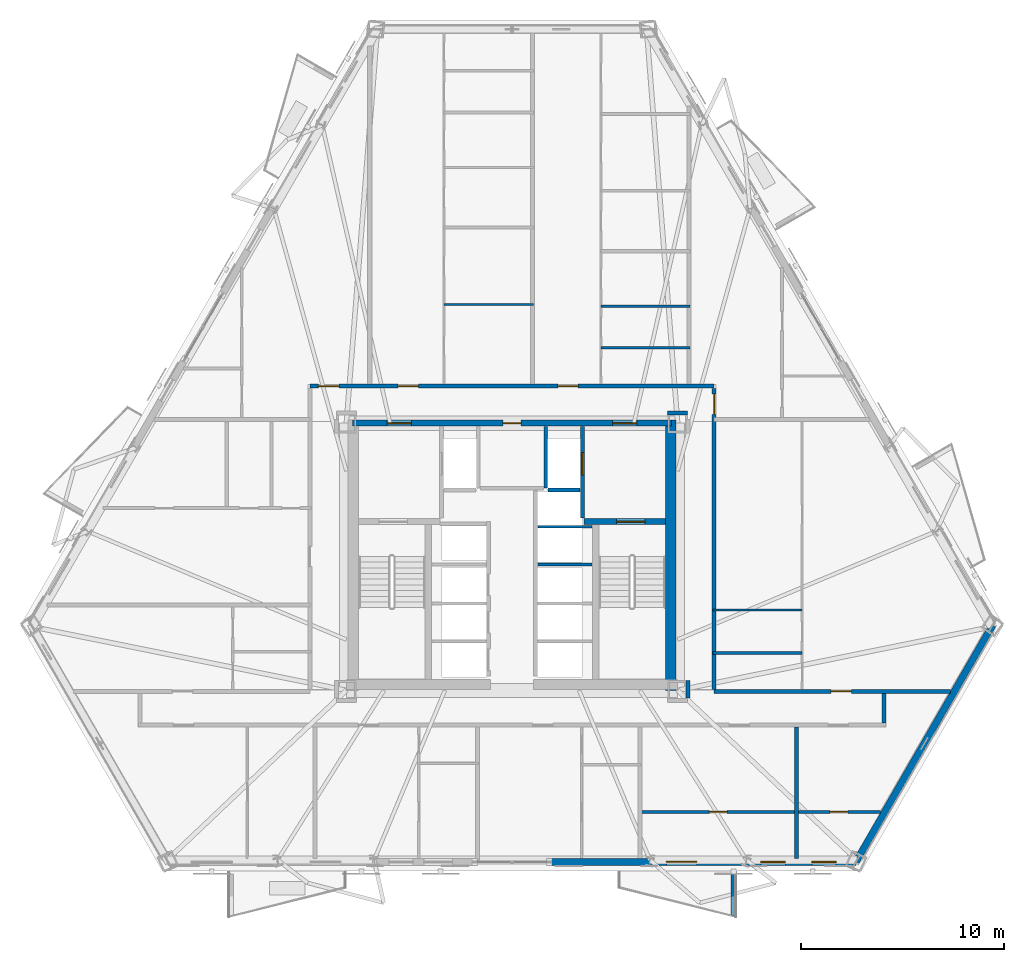
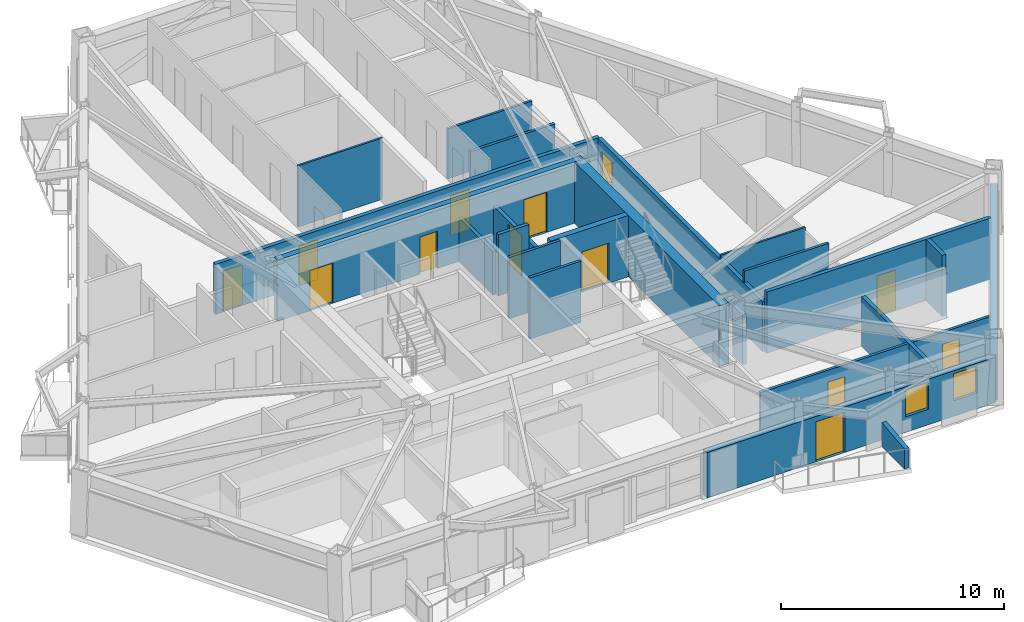
# One storey, part 11 of 17: 24 walls, 13 doors, 2 windows, 15 openings.
"""IFC4 building model written with IfcOpenShell, lengths in metres."""

from ifc_helpers import new_model, si_unit, direction, frame, frame_2d, origin, place, context, subcontext, project, spatial, polyline, rectangle, outline, extrude, material, layer, layer_set, type_object, element, fill, save


model = new_model("IFC4")

# Units and contexts
model_context = context("Model", 3, precision=1e-05, world=origin(), true_north=direction((0.0, 1.0)))
body_context = subcontext(model_context, "Body", "Model", "MODEL_VIEW")
ifc_project = project(units=[si_unit("LENGTHUNIT", "METRE"), si_unit("AREAUNIT", "SQUARE_METRE"), si_unit("VOLUMEUNIT", "CUBIC_METRE"), si_unit("PLANEANGLEUNIT", "RADIAN"), si_unit("MASSUNIT", "GRAM", prefix="KILO")], contexts=[model_context])

# Site, building, storey
site_placement = place(None, origin())
site = spatial("IfcSite", under=ifc_project, at=site_placement, CompositionType="ELEMENT")
building_placement = place(site_placement, origin())
building = spatial("IfcBuilding", under=site, at=building_placement, Name="Oramaril Tower", CompositionType="ELEMENT")
storey_placement = place(building_placement, frame((0.0, 0.0, 70.5)))
storey = spatial("IfcBuildingStorey", under=building, at=storey_placement, Name="L18", CompositionType="ELEMENT", Elevation=70.5)

# Wall, openings, door, windows
ifc_material_1 = material(Name="Warm Cream Limestone", Category="masonry")
ifc_layer_1 = layer(ifc_material_1, 0.340087890625)
ifc_layer_set_1 = layer_set([ifc_layer_1], Name="WT-EXT34")
wall_type_1 = type_object("IfcWallType", Name="WT-EXT34", PredefinedType="SOLIDWALL", material=ifc_layer_set_1)
wall_1_placement = place(storey_placement, frame((39.449951171875, 2.560546875, 0.0), z_axis=(0.0, 0.0, 1.0), x_axis=(1.0, 0.0, 0.0)))
wall_1 = element("IfcWall", 1, at=wall_1_placement, inside=storey, type_object=wall_type_1, Name="L18 Tower Limestone Facade Wall 2R", PredefinedType="SOLIDWALL", context=body_context, shape_type="SweptSolid", body=[
    extrude(rectangle(XDim=14.975830078125, YDim=0.340087890625, at=frame_2d((7.48779296875, 0.0))), origin(), (0.0, 0.0, 1.0), 2.493896484375),
])
opening_1_placement = place(wall_1_placement, frame((5.6513671875, 0.0, 0.0)))
opening_1 = element("IfcOpeningElement", 2, at=opening_1_placement, cuts=wall_1, Name="Opening D-L18-BAL-S2", PredefinedType="OPENING", context=body_context, shape_type="SweptSolid", body=[
    extrude(rectangle(XDim=1.5, YDim=2.199951171875, at=frame_2d((0.75, 1.10009765625))), frame((0.0, 0.169921875, 0.0), z_axis=(0.0, -1.0, 0.0), x_axis=(1.0, 0.0, 0.0)), (0.0, 0.0, 1.0), 0.340087890625),
])
opening_2_placement = place(wall_1_placement, frame((10.301025390625, 0.0, 0.85009765625)))
opening_2 = element("IfcOpeningElement", 3, at=opening_2_placement, cuts=wall_1, Name="Opening WN-09", PredefinedType="OPENING", context=body_context, shape_type="SweptSolid", body=[
    extrude(rectangle(XDim=1.199951171875, YDim=1.47998046875, at=frame_2d((0.60009765625, 0.739990234375))), frame((0.0, 0.169921875, 0.0), z_axis=(0.0, -1.0, 0.0), x_axis=(1.0, 0.0, 0.0)), (0.0, 0.0, 1.0), 0.340087890625),
])
opening_3_placement = place(wall_1_placement, frame((12.800048828125, 0.0, 0.85009765625)))
opening_3 = element("IfcOpeningElement", 4, at=opening_3_placement, cuts=wall_1, Name="Opening WN-09", PredefinedType="OPENING", context=body_context, shape_type="SweptSolid", body=[
    extrude(rectangle(XDim=1.199951171875, YDim=1.47998046875, at=frame_2d((0.60009765625, 0.739990234375))), frame((0.0, 0.169921875, 0.0), z_axis=(0.0, -1.0, 0.0), x_axis=(1.0, 0.0, 0.0)), (0.0, 0.0, 1.0), 0.340087890625),
])
ifc_material_2 = material(Name="Anodised Aluminium 6063-T6", Category="aluminium")
door_type_1 = type_object("IfcDoorType", Name="DT-BAL", OperationType="NOTDEFINED", PredefinedType="DOOR", material=ifc_material_2)
door_1_placement = place(opening_1_placement, origin())
door_1 = element("IfcDoor", 5, at=door_1_placement, inside=storey, type_object=door_type_1, Name="L18 Balcony Glazed Door L18-BAL-S2", OperationType="SINGLE_SWING_RIGHT", OverallHeight=2.199951171875, OverallWidth=1.5, PredefinedType="DOOR", context=body_context, shape_type="SweptSolid", body=[
    extrude(rectangle(XDim=1.5, YDim=2.199951171875, at=frame_2d((0.75, 1.10009765625))), frame((0.0, 0.02490234375, 0.0), z_axis=(0.0, -1.0, 0.0), x_axis=(1.0, 0.0, 0.0)), (0.0, 0.0, 1.0), 0.050048828125),
])
fill(opening_1, door_1)
ifc_material_3 = material(Name="Coastal Low-E Insulated Glass", Category="glass")
window_type = type_object("IfcWindowType", Name="WNT-09", PartitioningType="SINGLE_PANEL", PredefinedType="WINDOW", material=ifc_material_3)
window_1_placement = place(opening_2_placement, origin())
window_1 = element("IfcWindow", 6, at=window_1_placement, inside=storey, type_object=window_type, Name="L18 Chicago Bay Window WN-09", OverallHeight=1.47998046875, OverallWidth=1.199951171875, PartitioningType="SINGLE_PANEL", PredefinedType="WINDOW", context=body_context, shape_type="SweptSolid", body=[
    extrude(rectangle(XDim=1.199951171875, YDim=1.47998046875, at=frame_2d((0.60009765625, 0.739990234375))), frame((0.0, 0.030029296875, 0.0), z_axis=(0.0, -1.0, 0.0), x_axis=(1.0, 0.0, 0.0)), (0.0, 0.0, 1.0), 0.06005859375),
])
fill(opening_2, window_1)
window_2_placement = place(opening_3_placement, origin())
window_2 = element("IfcWindow", 7, at=window_2_placement, inside=storey, type_object=window_type, Name="L18 Chicago Bay Window WN-09", OverallHeight=1.47998046875, OverallWidth=1.199951171875, PartitioningType="SINGLE_PANEL", PredefinedType="WINDOW", context=body_context, shape_type="SweptSolid", body=[
    extrude(rectangle(XDim=1.199951171875, YDim=1.47998046875, at=frame_2d((0.60009765625, 0.739990234375))), frame((0.0, 0.030029296875, 0.0), z_axis=(0.0, -1.0, 0.0), x_axis=(1.0, 0.0, 0.0)), (0.0, 0.0, 1.0), 0.06005859375),
])
fill(opening_3, window_2)

# Walls
wall_2_placement = place(storey_placement, frame((54.42578125, 2.560546875, 0.0), z_axis=(0.0, 0.0, 1.0), x_axis=(0.499987929025, 0.866032372853, 0.0)))
element("IfcWall", 8, at=wall_2_placement, inside=storey, type_object=wall_type_1, Name="L18 Tower Limestone Facade Wall 3M", PredefinedType="SOLIDWALL", context=body_context, shape_type="SweptSolid", body=[
    extrude(rectangle(XDim=13.453369140625, YDim=0.340087890625, at=frame_2d((6.7265625, 0.0))), origin(), (0.0, 0.0, 1.0), 2.493896484375),
])
ifc_material_4 = material(Name="Concrete C40/50", Category="concrete")
ifc_layer_2 = layer(ifc_material_4, 0.22998046875)
ifc_layer_set_2 = layer_set([ifc_layer_2], Name="WT-PRP23")
wall_type_2 = type_object("IfcWallType", Name="WT-PRP23", PredefinedType="PARAPET", material=ifc_layer_set_2)
wall_3_placement = place(storey_placement, frame((48.38623046875, 1.962646484375, 0.0), z_axis=(0.0, 0.0, 1.0), x_axis=(0.0, -1.0, 0.0)))
element("IfcWall", 9, at=wall_3_placement, inside=storey, type_object=wall_type_2, Name="L18 Trapezoidal Balcony Frame Cheek L18-BAL-S2-R", PredefinedType="PARAPET", context=body_context, shape_type="SweptSolid", body=[
    extrude(outline(polyline([(0.0, 0.0), (2.0419921875, 0.0), (2.0419921875, 1.10009765625), (0.0, 1.320068359375), (0.0, 0.0)])), frame((0.0, 0.114990234375, 0.0), z_axis=(0.0, -1.0, 0.0), x_axis=(1.0, 0.0, 0.0)), (0.0, 0.0, 1.0), 0.22998046875),
])
ifc_material_5 = material(Name="Acoustic Gypsum Board Partition")
ifc_layer_3 = layer(ifc_material_5, 0.10009765625)
ifc_layer_set_3 = layer_set([ifc_layer_3], Name="WT-PT10")
wall_type_3 = type_object("IfcWallType", Name="WT-PT10", PredefinedType="PARTITIONING", material=ifc_layer_set_3)
wall_4_placement = place(storey_placement, frame((47.39990234375, 14.949951171875, 0.0), z_axis=(0.0, 0.0, 1.0), x_axis=(1.0, 0.0, 0.0)))
element("IfcWall", 10, at=wall_4_placement, inside=storey, type_object=wall_type_3, Name="L18 Interior Partition PT-10", PredefinedType="PARTITIONING", context=body_context, shape_type="SweptSolid", body=[
    extrude(rectangle(XDim=4.380126953125, YDim=0.10009765625, at=frame_2d((2.18994140625, 0.0))), origin(), (0.0, 0.0, 1.0), 2.946044921875),
])
wall_5_placement = place(storey_placement, frame((34.14990234375, 29.989990234375, 0.0), z_axis=(0.0, 0.0, 1.0), x_axis=(1.0, 0.0, 0.0)))
element("IfcWall", 11, at=wall_5_placement, inside=storey, type_object=wall_type_3, Name="L18 Interior Partition PT-10", PredefinedType="PARTITIONING", context=body_context, shape_type="SweptSolid", body=[
    extrude(rectangle(XDim=4.400146484375, YDim=0.10009765625, at=frame_2d((2.2001953125, 0.0))), origin(), (0.0, 0.0, 1.0), 3.360107421875),
])
ifc_material_6 = material(Name="Acoustic Gypsum Board Partition")
ifc_layer_4 = layer(ifc_material_6, 0.1201171875)
ifc_layer_set_4 = layer_set([ifc_layer_4], Name="WT-PT12")
wall_type_4 = type_object("IfcWallType", Name="WT-PT12", PredefinedType="PARTITIONING", material=ifc_layer_set_4)
wall_6_placement = place(storey_placement, frame((41.8701171875, 29.909912109375, 0.0), z_axis=(0.0, 0.0, 1.0), x_axis=(1.0, 0.0, 0.0)))
element("IfcWall", 12, at=wall_6_placement, inside=storey, type_object=wall_type_4, Name="L18 Interior Partition PT-12", PredefinedType="PARTITIONING", context=body_context, shape_type="SweptSolid", body=[
    extrude(rectangle(XDim=4.3798828125, YDim=0.1201171875, at=frame_2d((2.18994140625, 0.0))), origin(), (0.0, 0.0, 1.0), 2.738037109375),
])
ifc_material_7 = material(Name="Acoustic Gypsum Board Partition")
ifc_layer_5 = layer(ifc_material_7, 0.139892578125)
ifc_layer_set_5 = layer_set([ifc_layer_5], Name="WT-PT14")
wall_type_5 = type_object("IfcWallType", Name="WT-PT14", PredefinedType="PARTITIONING", material=ifc_layer_set_5)
for number, where, z_axis, x_axis, name in (
    (13, (38.780029296875, 17.199951171875, 0.0), (0.0, 0.0, 1.0), (1.0, 0.0, 0.0), "L18 East Lift Divider"),
    (14, (38.780029296875, 19.050048828125, 0.0), (0.0, 0.0, 1.0), (1.0, 0.0, 0.0), "L18 East Lift Divider"),
):
    element("IfcWall", number, at=place(storey_placement, frame(where, z_axis=z_axis, x_axis=x_axis)), inside=storey, type_object=wall_type_5, Name=name, PredefinedType="PARTITIONING", context=body_context, shape_type="SweptSolid", body=[
        extrude(rectangle(XDim=2.659912109375, YDim=0.139892578125, at=frame_2d((1.330078125, 0.0))), origin(), (0.0, 0.0, 1.0), 3.360107421875),
    ])

# Wall, openings, doors
wall_7_placement = place(storey_placement, frame((43.718017578125, 5.02001953125, 0.0), z_axis=(0.0, 0.0, 1.0), x_axis=(1.0, 0.0, 0.0)))
wall_7 = element("IfcWall", 15, at=wall_7_placement, inside=storey, type_object=wall_type_5, Name="L18 Interior Partition PT-14", PredefinedType="PARTITIONING", context=body_context, shape_type="SweptSolid", body=[
    extrude(rectangle(XDim=11.9267578125, YDim=0.139892578125, at=frame_2d((5.96337890625, 0.0))), origin(), (0.0, 0.0, 1.0), 2.738037109375),
])
opening_4_placement = place(wall_7_placement, frame((3.491943359375, 0.0, 0.0)))
opening_4 = element("IfcOpeningElement", 16, at=opening_4_placement, cuts=wall_7, Name="Opening D-L18-01", PredefinedType="OPENING", context=body_context, shape_type="SweptSolid", body=[
    extrude(rectangle(XDim=0.8798828125, YDim=2.080078125, at=frame_2d((0.43994140625, 1.0400390625))), frame((0.0, 0.06982421875, 0.0), z_axis=(0.0, -1.0, 0.0), x_axis=(1.0, 0.0, 0.0)), (0.0, 0.0, 1.0), 0.139892578125),
])
opening_5_placement = place(wall_7_placement, frame((9.42822265625, 0.0, 0.0)))
opening_5 = element("IfcOpeningElement", 17, at=opening_5_placement, cuts=wall_7, Name="Opening D-L18-02", PredefinedType="OPENING", context=body_context, shape_type="SweptSolid", body=[
    extrude(rectangle(XDim=0.8798828125, YDim=2.080078125, at=frame_2d((0.43994140625, 1.0400390625))), frame((0.0, 0.06982421875, 0.0), z_axis=(0.0, -1.0, 0.0), x_axis=(1.0, 0.0, 0.0)), (0.0, 0.0, 1.0), 0.139892578125),
])
ifc_material_8 = material(Name="FSC Brazilian Freijo Hardwood", Category="wood")
door_type_2 = type_object("IfcDoorType", Name="DT-BATH", OperationType="NOTDEFINED", PredefinedType="DOOR", material=ifc_material_8)
door_2_placement = place(opening_4_placement, origin())
door_2 = element("IfcDoor", 18, at=door_2_placement, inside=storey, type_object=door_type_2, Name="L18 Flat L18-U4 Bathroom Door D-L18-01", OperationType="SINGLE_SWING_RIGHT", OverallHeight=2.080078125, OverallWidth=0.8798828125, PredefinedType="DOOR", context=body_context, shape_type="SweptSolid", body=[
    extrude(rectangle(XDim=0.8798828125, YDim=2.080078125, at=frame_2d((0.43994140625, 1.0400390625))), frame((0.0, 0.02490234375, 0.0), z_axis=(0.0, -1.0, 0.0), x_axis=(1.0, 0.0, 0.0)), (0.0, 0.0, 1.0), 0.050048828125),
])
fill(opening_4, door_2)
door_3_placement = place(opening_5_placement, origin())
door_3 = element("IfcDoor", 19, at=door_3_placement, inside=storey, type_object=door_type_2, Name="L18 Flat L18-U5 Bathroom Door D-L18-02", OperationType="SINGLE_SWING_LEFT", OverallHeight=2.080078125, OverallWidth=0.8798828125, PredefinedType="DOOR", context=body_context, shape_type="SweptSolid", body=[
    extrude(rectangle(XDim=0.8798828125, YDim=2.080078125, at=frame_2d((0.43994140625, 1.0400390625))), frame((0.0, 0.02490234375, 0.0), z_axis=(0.0, -1.0, 0.0), x_axis=(1.0, 0.0, 0.0)), (0.0, 0.0, 1.0), 0.050048828125),
])
fill(opening_5, door_3)

# Walls
wall_8_placement = place(storey_placement, frame((47.39990234375, 12.840087890625, 0.0), z_axis=(0.0, 0.0, 1.0), x_axis=(1.0, 0.0, 0.0)))
element("IfcWall", 20, at=wall_8_placement, inside=storey, type_object=wall_type_5, Name="L18 Interior Partition PT-14", PredefinedType="PARTITIONING", context=body_context, shape_type="SweptSolid", body=[
    extrude(rectangle(XDim=4.380126953125, YDim=0.139892578125, at=frame_2d((2.18994140625, 0.0))), origin(), (0.0, 0.0, 1.0), 3.360107421875),
])
wall_9_placement = place(storey_placement, frame((41.8701171875, 27.860107421875, 0.0), z_axis=(0.0, 0.0, 1.0), x_axis=(1.0, 0.0, 0.0)))
element("IfcWall", 21, at=wall_9_placement, inside=storey, type_object=wall_type_5, Name="L18 Interior Partition PT-14", PredefinedType="PARTITIONING", context=body_context, shape_type="SweptSolid", body=[
    extrude(rectangle(XDim=4.3798828125, YDim=0.139892578125, at=frame_2d((2.18994140625, 0.0))), origin(), (0.0, 0.0, 1.0), 2.738037109375),
])
ifc_material_9 = material(Name="Autoclaved Cellular Concrete Block", Category="concrete")
ifc_layer_6 = layer(ifc_material_9, 0.179931640625)
ifc_layer_set_6 = layer_set([ifc_layer_6], Name="WT-PT18")
wall_type_6 = type_object("IfcWallType", Name="WT-PT18", PredefinedType="PARTITIONING", material=ifc_layer_set_6)
wall_10_placement = place(storey_placement, frame((39.159912109375, 20.9599609375, 0.0), z_axis=(0.0, 0.0, 1.0), x_axis=(0.0, 1.0, 0.0)))
element("IfcWall", 22, at=wall_10_placement, inside=storey, type_object=wall_type_6, Name="L18 FL-2 West Shaft Wall", PredefinedType="PARTITIONING", context=body_context, shape_type="SweptSolid", body=[
    extrude(rectangle(XDim=3.02001953125, YDim=0.179931640625, at=frame_2d((1.510009765625, 0.0))), origin(), (0.0, 0.0, 1.0), 2.39990234375),
])
wall_11_placement = place(storey_placement, frame((39.260009765625, 20.860107421875, 0.0), z_axis=(0.0, 0.0, 1.0), x_axis=(1.0, 0.0, 0.0)))
element("IfcWall", 23, at=wall_11_placement, inside=storey, type_object=wall_type_6, Name="L18 FL-2 South Shaft Wall", PredefinedType="PARTITIONING", context=body_context, shape_type="SweptSolid", body=[
    extrude(rectangle(XDim=1.580078125, YDim=0.179931640625, at=frame_2d((0.7900390625, 0.0))), origin(), (0.0, 0.0, 1.0), 3.360107421875),
])

# Wall, opening, door
ifc_material_10 = material(Name="Autoclaved Cellular Concrete Block", Category="concrete")
ifc_layer_7 = layer(ifc_material_10, 0.199951171875)
ifc_layer_set_7 = layer_set([ifc_layer_7], Name="WT-PT20")
wall_type_7 = type_object("IfcWallType", Name="WT-PT20", PredefinedType="PARTITIONING", material=ifc_layer_set_7)
wall_12_placement = place(storey_placement, frame((47.449951171875, 10.949951171875, 0.0), z_axis=(0.0, 0.0, 1.0), x_axis=(1.0, 0.0, 0.0)))
wall_12 = element("IfcWall", 24, at=wall_12_placement, inside=storey, type_object=wall_type_7, Name="L18 Interior Partition PT-20", PredefinedType="PARTITIONING", context=body_context, shape_type="SweptSolid", body=[
    extrude(rectangle(XDim=11.618408203125, YDim=0.199951171875, at=frame_2d((5.80908203125, 0.0))), origin(), (0.0, 0.0, 1.0), 3.360107421875),
])
opening_6_placement = place(wall_12_placement, frame((5.745849609375, 0.0, 0.0)))
opening_6 = element("IfcOpeningElement", 25, at=opening_6_placement, cuts=wall_12, Name="Opening D-L18-09", PredefinedType="OPENING", context=body_context, shape_type="SweptSolid", body=[
    extrude(rectangle(XDim=1.0, YDim=2.179931640625, at=frame_2d((0.5, 1.08984375))), frame((0.0, 0.10009765625, 0.0), z_axis=(0.0, -1.0, 0.0), x_axis=(1.0, 0.0, 0.0)), (0.0, 0.0, 1.0), 0.199951171875),
])
ifc_material_11 = material(Name="FSC Brazilian Freijo Hardwood", Category="wood")
door_type_3 = type_object("IfcDoorType", Name="DT-APT", OperationType="NOTDEFINED", PredefinedType="DOOR", material=ifc_material_11)
door_4_placement = place(opening_6_placement, origin())
door_4 = element("IfcDoor", 26, at=door_4_placement, inside=storey, type_object=door_type_3, Name="L18 Flat L18-U8 Penthouse Living and Dining Room Door D-L18-09", OperationType="SINGLE_SWING_RIGHT", OverallHeight=2.179931640625, OverallWidth=1.0, PredefinedType="DOOR", context=body_context, shape_type="SweptSolid", body=[
    extrude(rectangle(XDim=1.0, YDim=2.179931640625, at=frame_2d((0.5, 1.08984375))), frame((0.0, 0.02490234375, 0.0), z_axis=(0.0, -1.0, 0.0), x_axis=(1.0, 0.0, 0.0)), (0.0, 0.0, 1.0), 0.050048828125),
])
fill(opening_6, door_4)

# Wall
wall_13_placement = place(storey_placement, frame((45.155029296875, 24.639892578125, 0.0), z_axis=(0.0, 0.0, 1.0), x_axis=(1.0, 0.0, 0.0)))
element("IfcWall", 27, at=wall_13_placement, inside=storey, type_object=wall_type_7, Name="L18 Interior Partition PT-20", PredefinedType="PARTITIONING", context=body_context, shape_type="SweptSolid", body=[
    extrude(rectangle(XDim=0.989990234375, YDim=0.199951171875, at=frame_2d((0.4951171875, 0.0))), origin(), (0.0, 0.0, 1.0), 2.738037109375),
])

# Wall, openings, doors
wall_14_placement = place(storey_placement, frame((27.550048828125, 25.969970703125, 0.0), z_axis=(0.0, 0.0, 1.0), x_axis=(1.0, 0.0, 0.0)))
wall_14 = element("IfcWall", 28, at=wall_14_placement, inside=storey, type_object=wall_type_7, Name="L18 Interior Partition PT-20", PredefinedType="PARTITIONING", context=body_context, shape_type="SweptSolid", body=[
    extrude(rectangle(XDim=19.89990234375, YDim=0.199951171875, at=frame_2d((9.949951171875, 0.0))), origin(), (0.0, 0.0, 1.0), 2.738037109375),
])
opening_7_placement = place(wall_14_placement, frame((0.42529296875, 0.0, 0.0)))
opening_7 = element("IfcOpeningElement", 29, at=opening_7_placement, cuts=wall_14, Name="Opening D-L18-13", PredefinedType="OPENING", context=body_context, shape_type="SweptSolid", body=[
    extrude(rectangle(XDim=1.0, YDim=2.179931640625, at=frame_2d((0.5, 1.08984375))), frame((0.0, 0.10009765625, 0.0), z_axis=(0.0, -1.0, 0.0), x_axis=(1.0, 0.0, 0.0)), (0.0, 0.0, 1.0), 0.199951171875),
])
opening_8_placement = place(wall_14_placement, frame((4.34716796875, 0.0, 0.0)))
opening_8 = element("IfcOpeningElement", 30, at=opening_8_placement, cuts=wall_14, Name="Opening D-L18-14", PredefinedType="OPENING", context=body_context, shape_type="SweptSolid", body=[
    extrude(rectangle(XDim=1.0, YDim=2.179931640625, at=frame_2d((0.5, 1.08984375))), frame((0.0, 0.10009765625, 0.0), z_axis=(0.0, -1.0, 0.0), x_axis=(1.0, 0.0, 0.0)), (0.0, 0.0, 1.0), 0.199951171875),
])
opening_9_placement = place(wall_14_placement, frame((12.20751953125, 0.0, 0.0)))
opening_9 = element("IfcOpeningElement", 31, at=opening_9_placement, cuts=wall_14, Name="Opening D-L18-15", PredefinedType="OPENING", context=body_context, shape_type="SweptSolid", body=[
    extrude(rectangle(XDim=1.0, YDim=2.179931640625, at=frame_2d((0.5, 1.08984375))), frame((0.0, 0.10009765625, 0.0), z_axis=(0.0, -1.0, 0.0), x_axis=(1.0, 0.0, 0.0)), (0.0, 0.0, 1.0), 0.199951171875),
])
door_5_placement = place(opening_7_placement, origin())
door_5 = element("IfcDoor", 32, at=door_5_placement, inside=storey, type_object=door_type_3, Name="L18 Flat L18-U9 Studio Apartment Door D-L18-13", OperationType="SINGLE_SWING_RIGHT", OverallHeight=2.179931640625, OverallWidth=1.0, PredefinedType="DOOR", context=body_context, shape_type="SweptSolid", body=[
    extrude(rectangle(XDim=1.0, YDim=2.179931640625, at=frame_2d((0.5, 1.08984375))), frame((0.0, 0.02490234375, 0.0), z_axis=(0.0, -1.0, 0.0), x_axis=(1.0, 0.0, 0.0)), (0.0, 0.0, 1.0), 0.050048828125),
])
fill(opening_7, door_5)
door_6_placement = place(opening_8_placement, origin())
door_6 = element("IfcDoor", 33, at=door_6_placement, inside=storey, type_object=door_type_3, Name="L18 Flat L18-U10 Penthouse 2-Bedroom Living and Dining Room Door D-L18-14", OperationType="SINGLE_SWING_LEFT", OverallHeight=2.179931640625, OverallWidth=1.0, PredefinedType="DOOR", context=body_context, shape_type="SweptSolid", body=[
    extrude(rectangle(XDim=1.0, YDim=2.179931640625, at=frame_2d((0.5, 1.08984375))), frame((0.0, 0.02490234375, 0.0), z_axis=(0.0, -1.0, 0.0), x_axis=(1.0, 0.0, 0.0)), (0.0, 0.0, 1.0), 0.050048828125),
])
fill(opening_8, door_6)
door_7_placement = place(opening_9_placement, origin())
door_7 = element("IfcDoor", 34, at=door_7_placement, inside=storey, type_object=door_type_3, Name="L18 Flat L18-U11 2-Bedroom Living and Dining Room Door D-L18-15", OperationType="SINGLE_SWING_RIGHT", OverallHeight=2.179931640625, OverallWidth=1.0, PredefinedType="DOOR", context=body_context, shape_type="SweptSolid", body=[
    extrude(rectangle(XDim=1.0, YDim=2.179931640625, at=frame_2d((0.5, 1.08984375))), frame((0.0, 0.02490234375, 0.0), z_axis=(0.0, -1.0, 0.0), x_axis=(1.0, 0.0, 0.0)), (0.0, 0.0, 1.0), 0.050048828125),
])
fill(opening_9, door_7)

# Wall
wall_15_placement = place(storey_placement, frame((46.14990234375, 10.614013671875, 0.0), z_axis=(0.0, 0.0, 1.0), x_axis=(0.0, 1.0, 0.0)))
element("IfcWall", 35, at=wall_15_placement, inside=storey, type_object=wall_type_7, Name="L18 Interior Partition PT-20", PredefinedType="PARTITIONING", context=body_context, shape_type="SweptSolid", body=[
    extrude(rectangle(XDim=0.881103515625, YDim=0.199951171875, at=frame_2d((0.4404296875, 0.0))), origin(), (0.0, 0.0, 1.0), 2.738037109375),
])

# Wall, opening, door
wall_16_placement = place(storey_placement, frame((47.449951171875, 11.053955078125, 0.0), z_axis=(0.0, 0.0, 1.0), x_axis=(0.0, 1.0, 0.0)))
wall_16 = element("IfcWall", 36, at=wall_16_placement, inside=storey, type_object=wall_type_7, Name="L18 Interior Partition PT-20", PredefinedType="PARTITIONING", context=body_context, shape_type="SweptSolid", body=[
    extrude(rectangle(XDim=14.81201171875, YDim=0.199951171875, at=frame_2d((7.406005859375, 0.0))), origin(), (0.0, 0.0, 1.0), 2.738037109375),
])
opening_10_placement = place(wall_16_placement, frame((13.529296875, 0.0, 0.0)))
opening_10 = element("IfcOpeningElement", 37, at=opening_10_placement, cuts=wall_16, Name="Opening D-L18-38", PredefinedType="OPENING", context=body_context, shape_type="SweptSolid", body=[
    extrude(rectangle(XDim=1.0, YDim=2.179931640625, at=frame_2d((0.5, 1.08984375))), frame((0.0, 0.10009765625, 0.0), z_axis=(0.0, -1.0, 0.0), x_axis=(1.0, 0.0, 0.0)), (0.0, 0.0, 1.0), 0.199951171875),
])
door_8_placement = place(opening_10_placement, origin())
door_8 = element("IfcDoor", 38, at=door_8_placement, inside=storey, type_object=door_type_3, Name="L18 Flat L18-U12 Studio Apartment Door D-L18-38", OperationType="SINGLE_SWING_LEFT", OverallHeight=2.179931640625, OverallWidth=1.0, PredefinedType="DOOR", context=body_context, shape_type="SweptSolid", body=[
    extrude(rectangle(XDim=1.0, YDim=2.179931640625, at=frame_2d((0.5, 1.08984375))), frame((0.0, 0.02490234375, 0.0), z_axis=(0.0, -1.0, 0.0), x_axis=(1.0, 0.0, 0.0)), (0.0, 0.0, 1.0), 0.050048828125),
])
fill(opening_10, door_8)

# Walls
wall_17_placement = place(storey_placement, frame((51.5, 2.734619140625, 0.0), z_axis=(0.0, 0.0, 1.0), x_axis=(0.0, 1.0, 0.0)))
element("IfcWall", 39, at=wall_17_placement, inside=storey, type_object=wall_type_7, Name="L18 Interior Partition PT-20", PredefinedType="PARTITIONING", context=body_context, shape_type="SweptSolid", body=[
    extrude(rectangle(XDim=6.46142578125, YDim=0.199951171875, at=frame_2d((3.230712890625, 0.0))), origin(), (0.0, 0.0, 1.0), 2.738037109375),
])
wall_18_placement = place(storey_placement, frame((55.800048828125, 9.404052734375, 0.0), z_axis=(0.0, 0.0, 1.0), x_axis=(0.0, 1.0, 0.0)))
element("IfcWall", 40, at=wall_18_placement, inside=storey, type_object=wall_type_7, Name="L18 Interior Partition PT-20", PredefinedType="PARTITIONING", context=body_context, shape_type="SweptSolid", body=[
    extrude(rectangle(XDim=1.44189453125, YDim=0.199951171875, at=frame_2d((0.720947265625, 0.0))), origin(), (0.0, 0.0, 1.0), 3.360107421875),
])

# Wall, openings, doors
ifc_material_12 = material(Name="Concrete C50/60", Category="concrete")
ifc_layer_8 = layer(ifc_material_12, 0.300048828125)
ifc_layer_set_8 = layer_set([ifc_layer_8], Name="WT-SH30")
wall_type_8 = type_object("IfcWallType", Name="WT-SH30", PredefinedType="SHEAR", material=ifc_layer_set_8)
wall_19_placement = place(storey_placement, frame((29.64990234375, 24.14990234375, 0.0), z_axis=(0.0, 0.0, 1.0), x_axis=(1.0, 0.0, 0.0)))
wall_19 = element("IfcWall", 41, at=wall_19_placement, inside=storey, type_object=wall_type_8, Name="L18 Core Shear Wall CW-N", PredefinedType="SHEAR", context=body_context, shape_type="SweptSolid", body=[
    extrude(rectangle(XDim=15.7001953125, YDim=0.300048828125, at=frame_2d((7.85009765625, 0.0))), origin(), (0.0, 0.0, 1.0), 3.360107421875),
])
opening_11_placement = place(wall_19_placement, frame((1.699951171875, 0.0, 0.0)))
opening_11 = element("IfcOpeningElement", 42, at=opening_11_placement, cuts=wall_19, Name="Opening D-L18-FFL1", PredefinedType="OPENING", context=body_context, shape_type="SweptSolid", body=[
    extrude(rectangle(XDim=1.199951171875, YDim=2.199951171875, at=frame_2d((0.60009765625, 1.10009765625))), frame((0.0, 0.14990234375, 0.0), z_axis=(0.0, -1.0, 0.0), x_axis=(1.0, 0.0, 0.0)), (0.0, 0.0, 1.0), 0.300048828125),
])
opening_12_placement = place(wall_19_placement, frame((12.800048828125, 0.0, 0.0)))
opening_12 = element("IfcOpeningElement", 43, at=opening_12_placement, cuts=wall_19, Name="Opening D-L18-FFL2", PredefinedType="OPENING", context=body_context, shape_type="SweptSolid", body=[
    extrude(rectangle(XDim=1.199951171875, YDim=2.199951171875, at=frame_2d((0.60009765625, 1.10009765625))), frame((0.0, 0.14990234375, 0.0), z_axis=(0.0, -1.0, 0.0), x_axis=(1.0, 0.0, 0.0)), (0.0, 0.0, 1.0), 0.300048828125),
])
opening_13_placement = place(wall_19_placement, frame((7.39990234375, 0.0, 0.0)))
opening_13 = element("IfcOpeningElement", 44, at=opening_13_placement, cuts=wall_19, Name="Opening D-L18-SV1", PredefinedType="OPENING", context=body_context, shape_type="SweptSolid", body=[
    extrude(rectangle(XDim=0.89990234375, YDim=2.050048828125, at=frame_2d((0.449951171875, 1.02490234375))), frame((0.0, 0.14990234375, 0.0), z_axis=(0.0, -1.0, 0.0), x_axis=(1.0, 0.0, 0.0)), (0.0, 0.0, 1.0), 0.300048828125),
])
ifc_material_13 = material(Name="Painted Galvanised Steel", Category="steel")
door_type_4 = type_object("IfcDoorType", Name="DT-FFL", OperationType="NOTDEFINED", PredefinedType="DOOR", material=ifc_material_13)
door_9_placement = place(opening_11_placement, origin())
door_9 = element("IfcDoor", 45, at=door_9_placement, inside=storey, type_object=door_type_4, Name="L18 Firefighting Lobby 1 Fire Door", OperationType="SINGLE_SWING_LEFT", OverallHeight=2.199951171875, OverallWidth=1.199951171875, PredefinedType="DOOR", context=body_context, shape_type="SweptSolid", body=[
    extrude(rectangle(XDim=1.199951171875, YDim=2.199951171875, at=frame_2d((0.60009765625, 1.10009765625))), frame((0.0, 0.02490234375, 0.0), z_axis=(0.0, -1.0, 0.0), x_axis=(1.0, 0.0, 0.0)), (0.0, 0.0, 1.0), 0.050048828125),
])
fill(opening_11, door_9)
door_10_placement = place(opening_12_placement, origin())
door_10 = element("IfcDoor", 46, at=door_10_placement, inside=storey, type_object=door_type_4, Name="L18 Firefighting Lobby 2 Fire Door", OperationType="SINGLE_SWING_RIGHT", OverallHeight=2.199951171875, OverallWidth=1.199951171875, PredefinedType="DOOR", context=body_context, shape_type="SweptSolid", body=[
    extrude(rectangle(XDim=1.199951171875, YDim=2.199951171875, at=frame_2d((0.60009765625, 1.10009765625))), frame((0.0, 0.02490234375, 0.0), z_axis=(0.0, -1.0, 0.0), x_axis=(1.0, 0.0, 0.0)), (0.0, 0.0, 1.0), 0.050048828125),
])
fill(opening_12, door_10)
ifc_material_14 = material(Name="Painted Galvanised Steel", Category="steel")
door_type_5 = type_object("IfcDoorType", Name="DT-SVC", OperationType="NOTDEFINED", PredefinedType="DOOR", material=ifc_material_14)
door_11_placement = place(opening_13_placement, origin())
door_11 = element("IfcDoor", 47, at=door_11_placement, inside=storey, type_object=door_type_5, Name="L18 Core Janitor Store Door", OperationType="SINGLE_SWING_LEFT", OverallHeight=2.050048828125, OverallWidth=0.89990234375, PredefinedType="DOOR", context=body_context, shape_type="SweptSolid", body=[
    extrude(rectangle(XDim=0.89990234375, YDim=2.050048828125, at=frame_2d((0.449951171875, 1.02490234375))), frame((0.0, 0.02490234375, 0.0), z_axis=(0.0, -1.0, 0.0), x_axis=(1.0, 0.0, 0.0)), (0.0, 0.0, 1.0), 0.050048828125),
])
fill(opening_13, door_11)

# Wall, opening, door
wall_20_placement = place(storey_placement, frame((41.050048828125, 19.31005859375, 0.0), z_axis=(0.0, 0.0, 1.0), x_axis=(1.0, 0.0, 0.0)))
wall_20 = element("IfcWall", 48, at=wall_20_placement, inside=storey, type_object=wall_type_8, Name="L18 Core Shear Wall CW-ST2N", PredefinedType="SHEAR", context=body_context, shape_type="SweptSolid", body=[
    extrude(rectangle(XDim=4.010009765625, YDim=0.300048828125, at=frame_2d((2.0048828125, 0.0))), origin(), (0.0, 0.0, 1.0), 3.360107421875),
])
opening_14_placement = place(wall_20_placement, frame((1.60009765625, 0.0, 0.0)))
opening_14 = element("IfcOpeningElement", 49, at=opening_14_placement, cuts=wall_20, Name="Opening D-L18-ST2", PredefinedType="OPENING", context=body_context, shape_type="SweptSolid", body=[
    extrude(rectangle(XDim=1.39990234375, YDim=2.199951171875, at=frame_2d((0.699951171875, 1.10009765625))), frame((0.0, 0.14990234375, 0.0), z_axis=(0.0, -1.0, 0.0), x_axis=(1.0, 0.0, 0.0)), (0.0, 0.0, 1.0), 0.300048828125),
])
ifc_material_15 = material(Name="Painted Galvanised Steel", Category="steel")
door_type_6 = type_object("IfcDoorType", Name="DT-ST", OperationType="NOTDEFINED", PredefinedType="DOOR", material=ifc_material_15)
door_12_placement = place(opening_14_placement, origin())
door_12 = element("IfcDoor", 50, at=door_12_placement, inside=storey, type_object=door_type_6, Name="L18 Protected Stair ST-2 Fire Door", OperationType="SINGLE_SWING_RIGHT", OverallHeight=2.199951171875, OverallWidth=1.39990234375, PredefinedType="DOOR", context=body_context, shape_type="SweptSolid", body=[
    extrude(rectangle(XDim=1.39990234375, YDim=2.199951171875, at=frame_2d((0.699951171875, 1.10009765625))), frame((0.0, 0.02490234375, 0.0), z_axis=(0.0, -1.0, 0.0), x_axis=(1.0, 0.0, 0.0)), (0.0, 0.0, 1.0), 0.050048828125),
])
fill(opening_14, door_12)

# Wall
ifc_material_16 = material(Name="Concrete C50/60", Category="concrete")
ifc_layer_9 = layer(ifc_material_16, 0.5)
ifc_layer_set_9 = layer_set([ifc_layer_9], Name="WT-SH50")
wall_type_9 = type_object("IfcWallType", Name="WT-SH50", PredefinedType="SHEAR", material=ifc_layer_set_9)
wall_21_placement = place(storey_placement, frame((45.31005859375, 11.0, 0.0), z_axis=(0.0, 0.0, 1.0), x_axis=(0.0, 1.0, 0.0)))
element("IfcWall", 51, at=wall_21_placement, inside=storey, type_object=wall_type_9, Name="L18 Core Shear Wall CW-E", PredefinedType="SHEAR", context=body_context, shape_type="SweptSolid", body=[
    extrude(rectangle(XDim=13.300048828125, YDim=0.5, at=frame_2d((6.64990234375, 0.0))), origin(), (0.0, 0.0, 1.0), 3.360107421875),
])

# Wall, opening, door
ifc_material_17 = material(Name="Autoclaved Cellular Concrete Block", Category="concrete")
ifc_layer_10 = layer(ifc_material_17, 0.199951171875)
ifc_layer_set_10 = layer_set([ifc_layer_10], Name="WT-SHF20")
wall_type_10 = type_object("IfcWallType", Name="WT-SHF20", PredefinedType="PARTITIONING", material=ifc_layer_set_10)
wall_22_placement = place(storey_placement, frame((40.9599609375, 19.47998046875, 0.0), z_axis=(0.0, 0.0, 1.0), x_axis=(0.0, 1.0, 0.0)))
wall_22 = element("IfcWall", 52, at=wall_22_placement, inside=storey, type_object=wall_type_10, Name="L18 FL-2 Lobby Shaft Wall", PredefinedType="PARTITIONING", context=body_context, shape_type="SweptSolid", body=[
    extrude(rectangle(XDim=4.5, YDim=0.199951171875, at=frame_2d((2.25, 0.0))), origin(), (0.0, 0.0, 1.0), 2.39990234375),
])
opening_15_placement = place(wall_22_placement, frame((2.1201171875, 0.0, 0.0)))
opening_15 = element("IfcOpeningElement", 53, at=opening_15_placement, cuts=wall_22, Name="Opening LD-L18-FL-2", PredefinedType="OPENING", context=body_context, shape_type="SweptSolid", body=[
    extrude(rectangle(XDim=1.10009765625, YDim=2.199951171875, at=frame_2d((0.550048828125, 1.10009765625))), frame((0.0, 0.10009765625, 0.0), z_axis=(0.0, -1.0, 0.0), x_axis=(1.0, 0.0, 0.0)), (0.0, 0.0, 1.0), 0.199951171875),
])
ifc_material_18 = material(Name="Stainless Steel 316L", Category="steel")
door_type_7 = type_object("IfcDoorType", Name="DT-LD1", OperationType="NOTDEFINED", PredefinedType="DOOR", material=ifc_material_18)
door_13_placement = place(opening_15_placement, origin())
door_13 = element("IfcDoor", 54, at=door_13_placement, inside=storey, type_object=door_type_7, Name="L18 Lift FL-2 Sliding Landing Door", OperationType="SLIDING_TO_RIGHT", OverallHeight=2.199951171875, OverallWidth=1.10009765625, PredefinedType="DOOR", context=body_context, shape_type="SweptSolid", body=[
    extrude(rectangle(XDim=1.10009765625, YDim=2.199951171875, at=frame_2d((0.550048828125, 1.10009765625))), frame((0.0, 0.02490234375, 0.0), z_axis=(0.0, -1.0, 0.0), x_axis=(1.0, 0.0, 0.0)), (0.0, 0.0, 1.0), 0.050048828125),
])
fill(opening_15, door_13)

save(model, "model.ifc")
